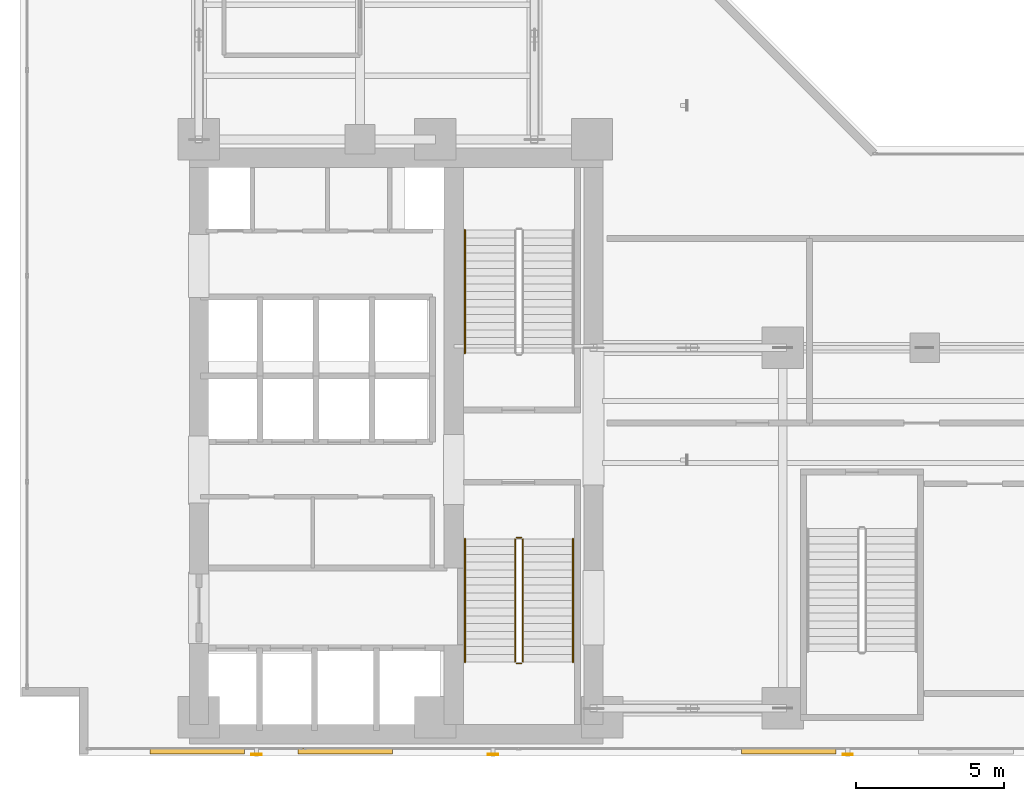
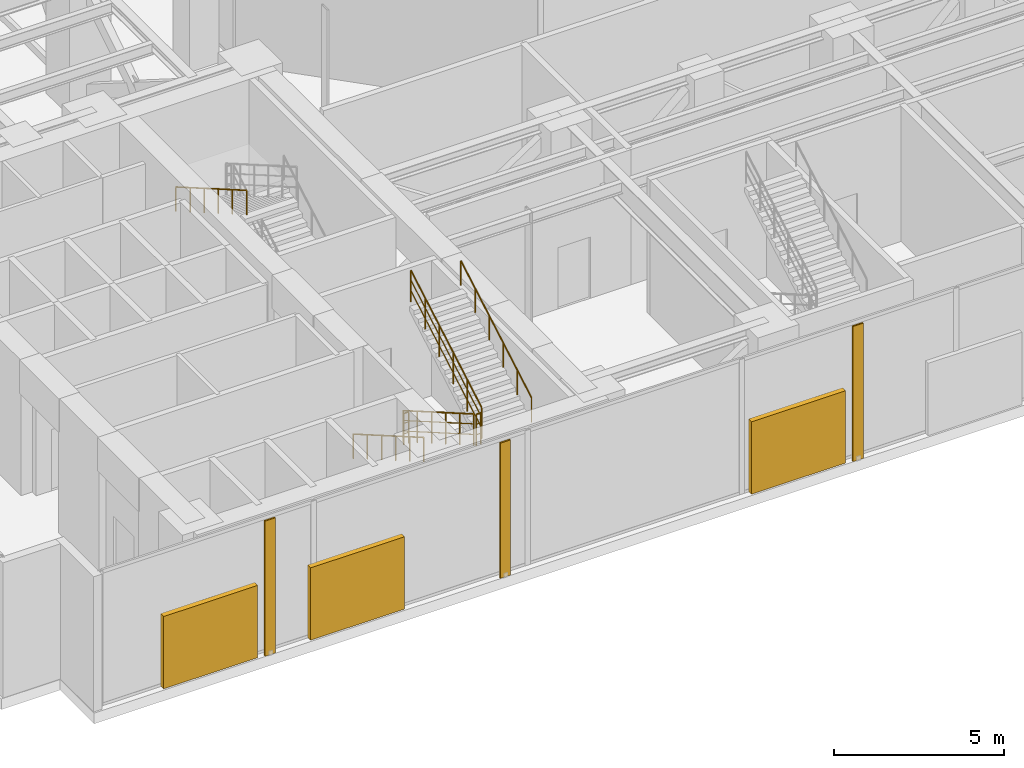
# One storey, part 35 of 37: 7 railings, 6 shading devices.
"""IFC4 building model written with IfcOpenShell, lengths in metres."""

from ifc_helpers import new_model, si_unit, direction, frame, origin, origin_with_axes, origin_2d, place, context, subcontext, project, spatial, rectangle, hollow_rectangle, circle, extrude, source, transform, mapped, material, material_profile, profile_set, type_object, element, save


model = new_model("IFC4")

# Units and contexts
model_context = context("Model", 3, precision=1e-05, world=origin(), true_north=direction((0.0, 1.0)))
body_context = subcontext(model_context, "Body", "Model", "MODEL_VIEW")
ifc_project = project(units=[si_unit("LENGTHUNIT", "METRE"), si_unit("AREAUNIT", "SQUARE_METRE"), si_unit("VOLUMEUNIT", "CUBIC_METRE"), si_unit("PLANEANGLEUNIT", "RADIAN"), si_unit("MASSUNIT", "GRAM", prefix="KILO")], contexts=[model_context])

# Site, building, storey
site_placement = place(None, origin())
site = spatial("IfcSite", under=ifc_project, at=site_placement, CompositionType="ELEMENT")
building_placement = place(site_placement, origin())
building = spatial("IfcBuilding", under=site, at=building_placement, Name="Kolvaren Waterfront Exchange", CompositionType="ELEMENT")
storey_placement = place(building_placement, frame((0.0, 0.0, 141.10009765625)))
storey = spatial("IfcBuildingStorey", under=building, at=storey_placement, Name="L36", CompositionType="ELEMENT", Elevation=141.10009765625)

# Shading devices
ifc_material_1 = material(Name="Anodised bronze aluminium 6063-T6", Category="aluminium")
ifc_material_profile = material_profile(ifc_material_1, hollow_rectangle(XDim=0.06005859375, YDim=0.35009765625, WallThickness=0.0048828125, at=origin_2d()), Name="BRZ-FIN-350x60x5")
ifc_profile_set = profile_set([ifc_material_profile], Name="Anodised bronze aluminium 6063-T6")
shading_device_type_1 = type_object("IfcShadingDeviceType", Name="ARC-FIN-350", PredefinedType="USERDEFINED", material=ifc_profile_set)
for number, where, z_axis, x_axis, name in (
    (1, (9.39990234375, 3.639892578125, 0.0), (0.0, 0.0, 1.0), (0.0, -1.0, 0.0), "L36 anodised bronze solar shading fin FIN-L36-S1"),
    (2, (17.39990234375, 3.639892578125, 0.0), (0.0, 0.0, 1.0), (0.0, -1.0, 0.0), "L36 anodised bronze solar shading fin FIN-L36-S2"),
    (3, (29.39990234375, 3.639892578125, 0.0), (0.0, 0.0, 1.0), (0.0, -1.0, 0.0), "L36 anodised bronze solar shading fin FIN-L36-S3"),
):
    element("IfcShadingDevice", number, at=place(storey_placement, frame(where, z_axis=z_axis, x_axis=x_axis)), inside=storey, type_object=shading_device_type_1, Name=name, ObjectType="SOLAR FIN", PredefinedType="USERDEFINED", context=body_context, shape_type="SweptSolid", body=[
        extrude(hollow_rectangle(XDim=0.06005859375, YDim=0.35009765625, WallThickness=0.0048828125, at=origin_2d()), origin(), (0.0, 0.0, 1.0), 4.85986328125),
    ])

# Railings
ifc_material_2 = material(Name="Stainless steel 316", Category="steel")
railing_type_1 = type_object("IfcRailingType", Name="ARC-GUARD-STAIR", PredefinedType="GUARDRAIL", material=ifc_material_2)
railing_1_placement = place(storey_placement, frame((18.14990234375, 10.929931640625, 0.14990234375)))
element("IfcRailing", 4, at=railing_1_placement, inside=storey, type_object=railing_type_1, Name="L36 ST1 stair guard 1", PredefinedType="GUARDRAIL", context=body_context, shape_type="SweptSolid", body=[
    extrude(circle(Radius=0.02392578125, at=origin_2d()), frame((0.0, 0.0, 1.1259765625), z_axis=(0.0, -0.866189817626, 0.499715118684), x_axis=(1.0, 0.0, 0.0)), (0.0, 0.0, 1.0), 4.802490234375),
    extrude(circle(Radius=0.01611328125, at=origin_2d()), frame((0.0, 0.0, 0.390869140625), z_axis=(0.0, -0.866189817626, 0.499715118684), x_axis=(1.0, 0.0, 0.0)), (0.0, 0.0, 1.0), 4.802490234375),
    extrude(circle(Radius=0.01611328125, at=origin_2d()), frame((0.0, 0.0, 0.7705078125), z_axis=(0.0, -0.866189817626, 0.499715118684), x_axis=(1.0, 0.0, 0.0)), (0.0, 0.0, 1.0), 4.802490234375),
    extrude(circle(Radius=0.02099609375, at=origin_2d()), origin(), (0.0, 0.0, 1.0), 1.101806640625),
    extrude(circle(Radius=0.02099609375, at=origin_2d()), frame((0.0, -0.83203125, 0.47998046875)), (0.0, 0.0, 1.0), 1.101806640625),
    extrude(circle(Radius=0.02099609375, at=origin_2d()), frame((0.0, -1.6640625, 0.9599609375)), (0.0, 0.0, 1.0), 1.101806640625),
    extrude(circle(Radius=0.02099609375, at=origin_2d()), frame((0.0, -2.495849609375, 1.43994140625)), (0.0, 0.0, 1.0), 1.101806640625),
    extrude(circle(Radius=0.02099609375, at=origin_2d()), frame((0.0, -3.327880859375, 1.919921875)), (0.0, 0.0, 1.0), 1.101806640625),
    extrude(circle(Radius=0.02099609375, at=origin_2d()), frame((0.0, -4.159912109375, 2.39990234375)), (0.0, 0.0, 1.0), 1.101806640625),
])
railing_2_placement = place(storey_placement, frame((18.199951171875, 6.719970703125, 2.5498046875)))
element("IfcRailing", 5, at=railing_2_placement, inside=storey, type_object=railing_type_1, Name="L36 ST1 stair guard 2", PredefinedType="GUARDRAIL", context=body_context, shape_type="SweptSolid", body=[
    extrude(circle(Radius=0.02392578125, at=origin_2d()), frame((0.0, 0.0, 1.1259765625), z_axis=(1.0, 0.0, 0.0), x_axis=(0.0, 1.0, 0.0)), (0.0, 0.0, 1.0), 0.16015625),
    extrude(circle(Radius=0.01611328125, at=origin_2d()), frame((0.0, 0.0, 0.390869140625), z_axis=(1.0, 0.0, 0.0), x_axis=(0.0, 1.0, 0.0)), (0.0, 0.0, 1.0), 0.16015625),
    extrude(circle(Radius=0.01611328125, at=origin_2d()), frame((0.0, 0.0, 0.7705078125), z_axis=(1.0, 0.0, 0.0), x_axis=(0.0, 1.0, 0.0)), (0.0, 0.0, 1.0), 0.16015625),
    extrude(circle(Radius=0.02099609375, at=origin_2d()), origin(), (0.0, 0.0, 1.0), 1.101806640625),
    extrude(circle(Radius=0.02099609375, at=origin_2d()), frame((0.16015625, 0.0, 0.0)), (0.0, 0.0, 1.0), 1.101806640625),
])
railing_3_placement = place(storey_placement, frame((18.409912109375, 6.77001953125, 2.699951171875)))
element("IfcRailing", 6, at=railing_3_placement, inside=storey, type_object=railing_type_1, Name="L36 ST1 stair guard 3", PredefinedType="GUARDRAIL", context=body_context, shape_type="SweptSolid", body=[
    extrude(circle(Radius=0.02392578125, at=origin_2d()), frame((0.0, 0.0, 1.1259765625), z_axis=(0.0, 0.866189817626, 0.499715118684), x_axis=(-1.0, 0.0, 0.0)), (0.0, 0.0, 1.0), 4.802490234375),
    extrude(circle(Radius=0.01611328125, at=origin_2d()), frame((0.0, 0.0, 0.390869140625), z_axis=(0.0, 0.866189817626, 0.499715118684), x_axis=(-1.0, 0.0, 0.0)), (0.0, 0.0, 1.0), 4.802490234375),
    extrude(circle(Radius=0.01611328125, at=origin_2d()), frame((0.0, 0.0, 0.7705078125), z_axis=(0.0, 0.866189817626, 0.499715118684), x_axis=(-1.0, 0.0, 0.0)), (0.0, 0.0, 1.0), 4.802490234375),
    extrude(circle(Radius=0.02099609375, at=origin_2d()), origin(), (0.0, 0.0, 1.0), 1.101806640625),
    extrude(circle(Radius=0.02099609375, at=origin_2d()), frame((0.0, 0.83203125, 0.47998046875)), (0.0, 0.0, 1.0), 1.101806640625),
    extrude(circle(Radius=0.02099609375, at=origin_2d()), frame((0.0, 1.6640625, 0.9599609375)), (0.0, 0.0, 1.0), 1.101806640625),
    extrude(circle(Radius=0.02099609375, at=origin_2d()), frame((0.0, 2.495849609375, 1.43994140625)), (0.0, 0.0, 1.0), 1.101806640625),
    extrude(circle(Radius=0.02099609375, at=origin_2d()), frame((0.0, 3.327880859375, 1.919921875)), (0.0, 0.0, 1.0), 1.101806640625),
    extrude(circle(Radius=0.02099609375, at=origin_2d()), frame((0.0, 4.159912109375, 2.39990234375)), (0.0, 0.0, 1.0), 1.101806640625),
])
railing_4_placement = place(storey_placement, frame((18.199951171875, 10.97998046875, 0.0)))
element("IfcRailing", 7, at=railing_4_placement, inside=storey, type_object=railing_type_1, Name="L36 ST1 stair guard 4", PredefinedType="GUARDRAIL", context=body_context, shape_type="SweptSolid", body=[
    extrude(circle(Radius=0.02392578125, at=origin_2d()), frame((0.0, 0.0, 1.1259765625), z_axis=(1.0, 0.0, 0.0), x_axis=(0.0, 1.0, 0.0)), (0.0, 0.0, 1.0), 0.16015625),
    extrude(circle(Radius=0.01611328125, at=origin_2d()), frame((0.0, 0.0, 0.390869140625), z_axis=(1.0, 0.0, 0.0), x_axis=(0.0, 1.0, 0.0)), (0.0, 0.0, 1.0), 0.16015625),
    extrude(circle(Radius=0.01611328125, at=origin_2d()), frame((0.0, 0.0, 0.7705078125), z_axis=(1.0, 0.0, 0.0), x_axis=(0.0, 1.0, 0.0)), (0.0, 0.0, 1.0), 0.16015625),
    extrude(circle(Radius=0.02099609375, at=origin_2d()), origin(), (0.0, 0.0, 1.0), 1.101806640625),
    extrude(circle(Radius=0.02099609375, at=origin_2d()), frame((0.16015625, 0.0, 0.0)), (0.0, 0.0, 1.0), 1.101806640625),
])
railing_type_2 = type_object("IfcRailingType", Name="ARC-HANDRAIL-900", PredefinedType="HANDRAIL", material=ifc_material_2)
railing_5_placement = place(storey_placement, frame((16.449951171875, 10.929931640625, 0.14990234375)))
element("IfcRailing", 8, at=railing_5_placement, inside=storey, type_object=railing_type_2, Name="L36 ST1 stair handrail 1", PredefinedType="HANDRAIL", context=body_context, shape_type="SweptSolid", body=[
    extrude(circle(Radius=0.02392578125, at=origin_2d()), frame((0.0, 0.0, 0.8759765625), z_axis=(0.0, -0.866189817626, 0.499715118684), x_axis=(1.0, 0.0, 0.0)), (0.0, 0.0, 1.0), 4.802490234375),
    extrude(circle(Radius=0.02099609375, at=origin_2d()), origin(), (0.0, 0.0, 1.0), 0.851806640625),
    extrude(circle(Radius=0.02099609375, at=origin_2d()), frame((0.0, -0.83203125, 0.47998046875)), (0.0, 0.0, 1.0), 0.851806640625),
    extrude(circle(Radius=0.02099609375, at=origin_2d()), frame((0.0, -1.6640625, 0.9599609375)), (0.0, 0.0, 1.0), 0.851806640625),
    extrude(circle(Radius=0.02099609375, at=origin_2d()), frame((0.0, -2.495849609375, 1.43994140625)), (0.0, 0.0, 1.0), 0.851806640625),
    extrude(circle(Radius=0.02099609375, at=origin_2d()), frame((0.0, -3.327880859375, 1.919921875)), (0.0, 0.0, 1.0), 0.851806640625),
    extrude(circle(Radius=0.02099609375, at=origin_2d()), frame((0.0, -4.159912109375, 2.39990234375)), (0.0, 0.0, 1.0), 0.851806640625),
])
railing_6_placement = place(storey_placement, frame((20.110107421875, 6.77001953125, 2.699951171875)))
element("IfcRailing", 9, at=railing_6_placement, inside=storey, type_object=railing_type_2, Name="L36 ST1 stair handrail 2", PredefinedType="HANDRAIL", context=body_context, shape_type="SweptSolid", body=[
    extrude(circle(Radius=0.02392578125, at=origin_2d()), frame((0.0, 0.0, 0.8759765625), z_axis=(0.0, 0.866189817626, 0.499715118684), x_axis=(-1.0, 0.0, 0.0)), (0.0, 0.0, 1.0), 4.802490234375),
    extrude(circle(Radius=0.02099609375, at=origin_2d()), origin(), (0.0, 0.0, 1.0), 0.851806640625),
    extrude(circle(Radius=0.02099609375, at=origin_2d()), frame((0.0, 0.83203125, 0.47998046875)), (0.0, 0.0, 1.0), 0.851806640625),
    extrude(circle(Radius=0.02099609375, at=origin_2d()), frame((0.0, 1.6640625, 0.9599609375)), (0.0, 0.0, 1.0), 0.851806640625),
    extrude(circle(Radius=0.02099609375, at=origin_2d()), frame((0.0, 2.495849609375, 1.43994140625)), (0.0, 0.0, 1.0), 0.851806640625),
    extrude(circle(Radius=0.02099609375, at=origin_2d()), frame((0.0, 3.327880859375, 1.919921875)), (0.0, 0.0, 1.0), 0.851806640625),
    extrude(circle(Radius=0.02099609375, at=origin_2d()), frame((0.0, 4.159912109375, 2.39990234375)), (0.0, 0.0, 1.0), 0.851806640625),
])
railing_7_placement = place(storey_placement, frame((16.449951171875, 21.3798828125, 2.699951171875)))
element("IfcRailing", 10, at=railing_7_placement, inside=storey, type_object=railing_type_2, Name="L36 ST2 stair handrail 2", PredefinedType="HANDRAIL", context=body_context, shape_type="SweptSolid", body=[
    extrude(circle(Radius=0.02392578125, at=origin_2d()), frame((0.0, 0.0, 0.8759765625), z_axis=(0.0, -0.866189817626, 0.499715118684), x_axis=(1.0, 0.0, 0.0)), (0.0, 0.0, 1.0), 4.802490234375),
    extrude(circle(Radius=0.02099609375, at=origin_2d()), origin(), (0.0, 0.0, 1.0), 0.851806640625),
    extrude(circle(Radius=0.02099609375, at=origin_2d()), frame((0.0, -0.83203125, 0.47998046875)), (0.0, 0.0, 1.0), 0.851806640625),
    extrude(circle(Radius=0.02099609375, at=origin_2d()), frame((0.0, -1.6640625, 0.9599609375)), (0.0, 0.0, 1.0), 0.851806640625),
    extrude(circle(Radius=0.02099609375, at=origin_2d()), frame((0.0, -2.495849609375, 1.43994140625)), (0.0, 0.0, 1.0), 0.851806640625),
    extrude(circle(Radius=0.02099609375, at=origin_2d()), frame((0.0, -3.327880859375, 1.919921875)), (0.0, 0.0, 1.0), 0.851806640625),
    extrude(circle(Radius=0.02099609375, at=origin_2d()), frame((0.0, -4.159912109375, 2.39990234375)), (0.0, 0.0, 1.0), 0.851806640625),
])

# Shading devices
shading_device_type_2 = type_object("IfcShadingDeviceType", Name="ARC-SHD-LOUVRE", PredefinedType="USERDEFINED", material=ifc_material_1)
shared_shape = source(origin_with_axes(), body_context, "Body", "SweptSolid", [
    extrude(rectangle(XDim=3.199951171875, YDim=0.179931640625, at=origin_2d()), origin(), (0.0, 0.0, 1.0), 2.60009765625),
])
for number, where, z_axis, x_axis, name in (
    (11, (7.39990234375, 3.75, -0.000244140625), (0.0, 0.0, 1.0), (1.0, 0.0, 0.0), "L36 acoustic weather intake louvre 1"),
    (12, (12.39990234375, 3.75, -0.000244140625), (0.0, 0.0, 1.0), (1.0, 0.0, 0.0), "L36 acoustic weather intake louvre 2"),
    (13, (27.39990234375, 3.75, -0.000244140625), (0.0, 0.0, 1.0), (1.0, 0.0, 0.0), "L36 acoustic weather intake louvre 3"),
):
    element("IfcShadingDevice", number, at=place(storey_placement, frame(where, z_axis=z_axis, x_axis=x_axis)), inside=storey, type_object=shading_device_type_2, Name=name, ObjectType="LOUVRE", PredefinedType="USERDEFINED", context=body_context, shape_type="MappedRepresentation", body=[
        mapped(shared_shape, transform((0.0, 0.0, 0.0), x_axis=(1.0, 0.0, 0.0), y_axis=(0.0, 1.0, 0.0), z_axis=(0.0, 0.0, 1.0), scale=1.0)),
    ])

save(model, "model.ifc")
